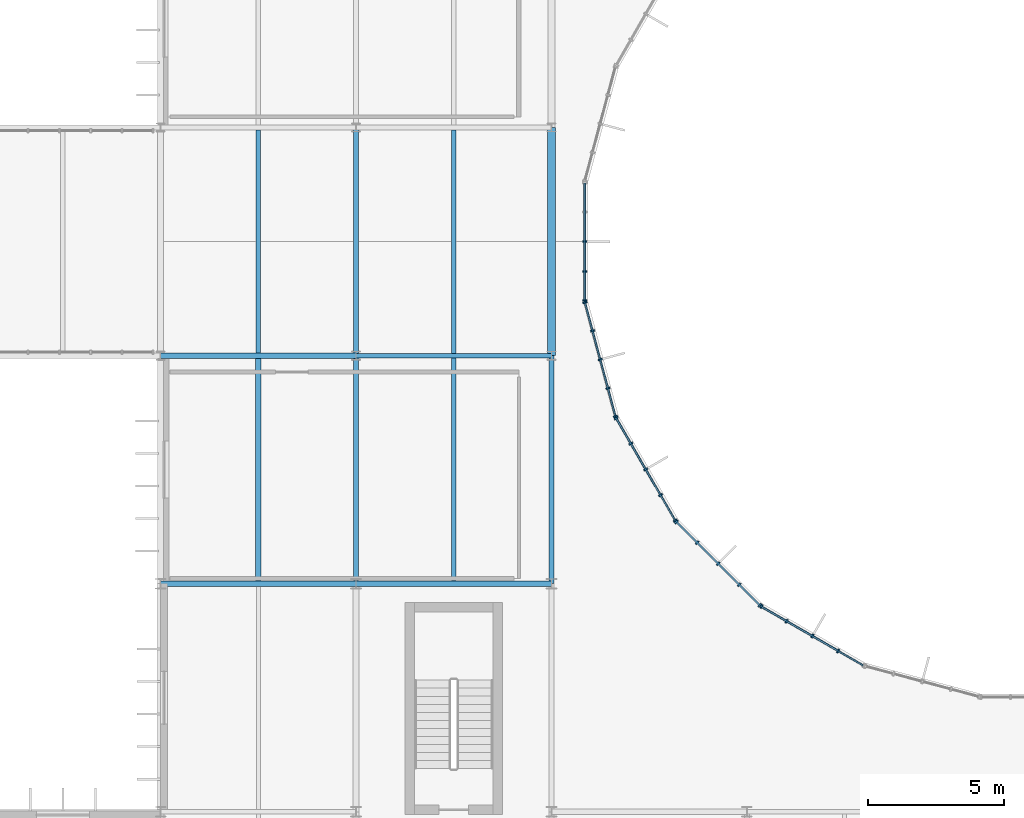
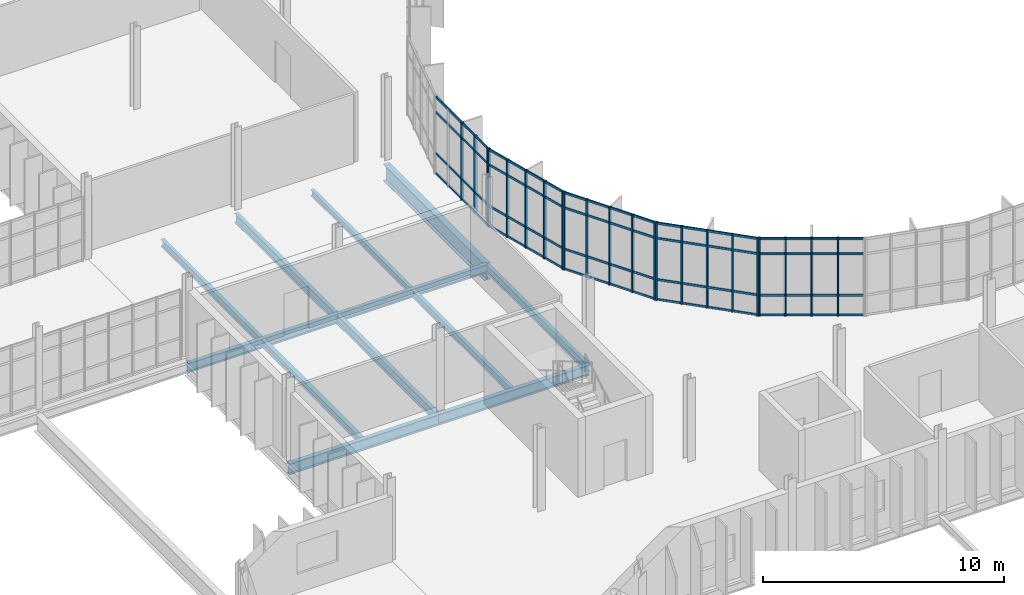
# One storey, part 42 of 119: 42 members, 12 beams, 5 elements without a shape of their own.
"""IFC4 building model written with IfcOpenShell, lengths in metres."""

import ifcopenshell
import ifcopenshell.guid

model = None  # the IFC model being written
_history = None  # IfcOwnerHistory: only IFC2X3 demands one
_inside = {}  # id of a spatial element -> (the spatial element, [elements in it])
_under = {}  # id of a project, library or spatial element -> (it, [spatial elements below it])
_declared = {}  # id of a project -> (the project, [libraries it declares])
_typed = {}  # id of a type object -> (the type object, [elements of that type])
_made_of = {}  # id of a material, layer set ... -> (it, [elements and type objects made of it])


def new_model(schema):
    """Start an empty IFC model of exactly this schema.

    Asked for "IFC4X3", IfcOpenShell would pick the latest addendum, in which some entities
    have other attributes; the version numbers below select the first issue.
    IFC2X3 requires an IfcOwnerHistory on every rooted entity: one is made here for all.
    """
    global model, _history
    if schema == "IFC4X3":
        model = ifcopenshell.file(schema_version=(4, 3, 0, 0))
    else:
        model = ifcopenshell.file(schema=schema)
    _inside.clear()
    _under.clear()
    _declared.clear()
    _typed.clear()
    _made_of.clear()
    _history = None
    if model.schema == "IFC2X3":
        org = make("IfcOrganization", Name="unknown")
        user = make(
            "IfcPersonAndOrganization",
            ThePerson=make("IfcPerson", FamilyName="unknown"),
            TheOrganization=org,
        )
        app = make(
            "IfcApplication",
            ApplicationDeveloper=org,
            Version="unknown",
            ApplicationFullName="unknown",
            ApplicationIdentifier="unknown",
        )
        _history = make(
            "IfcOwnerHistory",
            OwningUser=user,
            OwningApplication=app,
            ChangeAction="ADDED",
            CreationDate=0,
        )
    return model


def make(cls, **values):
    """One entity of the class cls with the attributes given. An attribute that is None is left unset."""
    return model.create_entity(
        cls, **{name: value for name, value in values.items() if value is not None}
    )


def rooted(cls, **values):
    """An entity with a GlobalId (a new one), such as an element, a storey or a relation."""
    return make(cls, GlobalId=ifcopenshell.guid.new(), OwnerHistory=_history, **values)


def si_unit(unit_type, name, prefix=None):
    """IfcSIUnit, for example si_unit("LENGTHUNIT", "METRE", prefix="MILLI")."""
    return make("IfcSIUnit", UnitType=unit_type, Prefix=prefix, Name=name)


def assignment(units):
    """IfcUnitAssignment: the units of a project."""
    return None if units is None else make("IfcUnitAssignment", Units=units)


def point(xyz):
    """IfcCartesianPoint."""
    return None if xyz is None else make("IfcCartesianPoint", Coordinates=xyz)


def direction(xyz):
    """IfcDirection."""
    return None if xyz is None else make("IfcDirection", DirectionRatios=xyz)


def frame(location, z_axis=None, x_axis=None):
    """IfcAxis2Placement3D, a coordinate frame: its origin and axes. An axis left out is left unset."""
    return make(
        "IfcAxis2Placement3D",
        Location=point(location),
        Axis=direction(z_axis),
        RefDirection=direction(x_axis),
    )


def frame_2d(location, x_axis=None):
    """IfcAxis2Placement2D, a coordinate frame in the plane: its origin and x axis."""
    return make(
        "IfcAxis2Placement2D", Location=point(location), RefDirection=direction(x_axis)
    )


def origin():
    """The frame at (0, 0, 0) with its axes left unset."""
    return frame((0.0, 0.0, 0.0))


def origin_2d():
    """The frame at (0, 0) in the plane with its x axis left unset."""
    return frame_2d((0.0, 0.0))


def place(relative_to, where):
    """IfcLocalPlacement: puts the frame where relative to a parent placement (None: the world)."""
    return make(
        "IfcLocalPlacement", PlacementRelTo=relative_to, RelativePlacement=where
    )


def context(
    kind, dimensions, precision=None, world=None, true_north=None, identifier=None
):
    """IfcGeometricRepresentationContext, for example the 3D "Model" context."""
    return make(
        "IfcGeometricRepresentationContext",
        ContextIdentifier=identifier,
        ContextType=kind,
        CoordinateSpaceDimension=dimensions,
        Precision=precision,
        WorldCoordinateSystem=world,
        TrueNorth=true_north,
    )


def subcontext(parent, identifier, kind, view, scale=None):
    """IfcGeometricRepresentationSubContext, for example "Body" below "Model"."""
    return make(
        "IfcGeometricRepresentationSubContext",
        ContextIdentifier=identifier,
        ContextType=kind,
        ParentContext=parent,
        TargetScale=scale,
        TargetView=view,
    )


def project(units=None, contexts=None):
    """IfcProject with its units and contexts."""
    return rooted(
        "IfcProject",
        Name="project",
        RepresentationContexts=contexts,
        UnitsInContext=assignment(units),
    )


def spatial(cls, under=None, at=None, **own):
    """A site, building, storey or space (cls), placed at a placement, below another one or the project."""
    s = rooted(cls, ObjectPlacement=at, **own)
    if under is not None:
        _under.setdefault(under.id(), (under, []))[1].append(s)
    return s


def profile(cls, at=None, kind="AREA", **sizes):
    """A parametric profile (cls). Its sizes go by their IFC names, for example OverallWidth=200.0."""
    return make(cls, ProfileType=kind, Position=at, **sizes)


def rectangle(**sizes):
    """IfcRectangleProfileDef."""
    return profile("IfcRectangleProfileDef", **sizes)


def i_section(**sizes):
    """IfcIShapeProfileDef."""
    return profile("IfcIShapeProfileDef", **sizes)


def extrude(swept, where, along, depth):
    """IfcExtrudedAreaSolid: the profile swept, set in the frame where, extruded along a direction by depth."""
    return make(
        "IfcExtrudedAreaSolid",
        SweptArea=swept,
        Position=where,
        ExtrudedDirection=direction(along),
        Depth=depth,
    )


def shape(context_of_items, identifier, shape_type, items):
    """IfcShapeRepresentation: the items that make up one representation, for example the "Body"."""
    return make(
        "IfcShapeRepresentation",
        ContextOfItems=context_of_items,
        RepresentationIdentifier=identifier,
        RepresentationType=shape_type,
        Items=items,
    )


def material(Name=None, Category=None):
    """IfcMaterial."""
    return make("IfcMaterial", Name=Name, Category=Category)


def material_profile(
    of_material, cross_section, Name=None, Category=None, Priority=None
):
    """IfcMaterialProfile: a cross section and its material."""
    return make(
        "IfcMaterialProfile",
        Name=Name,
        Material=of_material,
        Profile=cross_section,
        Priority=Priority,
        Category=Category,
    )


def profile_set(profiles, Name=None, composite=None):
    """IfcMaterialProfileSet."""
    return make(
        "IfcMaterialProfileSet",
        Name=Name,
        MaterialProfiles=profiles,
        CompositeProfile=composite,
    )


def made_of(thing, what):
    """Note that an element or type object is made of a material, layer set ...; save() writes the relation."""
    if what is not None:
        _made_of.setdefault(what.id(), (what, []))[1].append(thing)
    return thing


def type_object(cls, material=None, **own):
    """A type object (cls), such as IfcWallType, which elements share."""
    return made_of(rooted(cls, **own), material)


def element(
    cls,
    number,
    at=None,
    inside=None,
    cuts=None,
    type_object=None,
    material=None,
    context=None,
    identifier="Body",
    shape_type=None,
    held_by="IfcProductDefinitionShape",
    body=None,
    shapes=None,
    **own,
):
    """One element of the class cls, such as IfcWall. Its Tag is "e" and its number.

    at: its placement. inside: the storey or other place that contains it. cuts: it is an
    opening in that element (IfcRelVoidsElement). A single representation is given by context,
    identifier, shape_type and body (its items); several are given by shapes. held_by: the class
    of the entity that holds the representations. save() writes the other relations.
    """
    e = rooted(cls, Tag="e%d" % number, ObjectPlacement=at, **own)
    if body is not None:
        shapes = [shape(context, identifier, shape_type, body)]
    if shapes is not None:
        e.Representation = make(held_by, Representations=shapes)
    if inside is not None:
        _inside.setdefault(inside.id(), (inside, []))[1].append(e)
    if cuts is not None:
        rooted(
            "IfcRelVoidsElement", RelatingBuildingElement=cuts, RelatedOpeningElement=e
        )
    if type_object is not None:
        _typed.setdefault(type_object.id(), (type_object, []))[1].append(e)
    return made_of(e, material)


def aggregate(whole, parts):
    """IfcRelAggregates: a whole, such as a stair, and the parts it consists of."""
    return rooted("IfcRelAggregates", RelatingObject=whole, RelatedObjects=parts)


def save(model, path):
    """Write the relations noted so far, then the file.

    IfcRelAggregates (storeys below a building ...), IfcRelContainedInSpatialStructure (elements
    in a storey), IfcRelDefinesByType, IfcRelAssociatesMaterial and IfcRelDeclares: one each for
    every whole, place, type object, material and project.
    """
    for whole, parts in _under.values():
        aggregate(whole, parts)
    for where, things in _inside.values():
        rooted(
            "IfcRelContainedInSpatialStructure",
            RelatedElements=things,
            RelatingStructure=where,
        )
    for kind, things in _typed.values():
        rooted("IfcRelDefinesByType", RelatedObjects=things, RelatingType=kind)
    for what, things in _made_of.values():
        rooted("IfcRelAssociatesMaterial", RelatedObjects=things, RelatingMaterial=what)
    for by, libraries in _declared.values():
        rooted("IfcRelDeclares", RelatingContext=by, RelatedDefinitions=libraries)
    model.write(path)


model = new_model("IFC4")

# Units and contexts
model_context = context("Model", 3, precision=1e-05, world=origin(), true_north=direction((0.0, 1.0)))
body_context = subcontext(model_context, "Body", "Model", "MODEL_VIEW")
ifc_project = project(units=[si_unit("LENGTHUNIT", "METRE"), si_unit("AREAUNIT", "SQUARE_METRE"), si_unit("VOLUMEUNIT", "CUBIC_METRE"), si_unit("PLANEANGLEUNIT", "RADIAN"), si_unit("MASSUNIT", "GRAM", prefix="KILO")], contexts=[model_context])

# Site, building, storey
site_placement = place(None, origin())
site = spatial("IfcSite", under=ifc_project, at=site_placement, CompositionType="ELEMENT")
building_placement = place(site_placement, origin())
building = spatial("IfcBuilding", under=site, at=building_placement, Name="Qelthora Terrace Specialist Clinic", CompositionType="ELEMENT")
storey_placement = place(building_placement, frame((0.0, 0.0, 4.800048828125)))
storey = spatial("IfcBuildingStorey", under=building, at=storey_placement, Name="L01", CompositionType="ELEMENT", Elevation=4.800048828125)

# Beams
ifc_material_1 = material(Name="Steel S355", Category="steel")
ifc_material_profile_1 = material_profile(ifc_material_1, i_section(OverallWidth=0.178955078125, OverallDepth=0.409912109375, WebThickness=0.0087890625, FlangeThickness=0.014404296875, FilletRadius=0.011962890625, at=origin_2d()), Name="W410X67")
ifc_profile_set_1 = profile_set([ifc_material_profile_1], Name="Steel S355")
beam_type_1 = type_object("IfcBeamType", Name="BM-W410X67", PredefinedType="BEAM", material=ifc_profile_set_1)
beam_1_placement = place(storey_placement, frame((108.0, 50.39990234375, -0.455078125), z_axis=(0.0, 1.0, 0.0), x_axis=(-1.0, 0.0, 0.0)))
element("IfcBeam", 1, at=beam_1_placement, inside=storey, type_object=beam_type_1, Name="Girder BMY-L01-0480", PredefinedType="BEAM", context=body_context, shape_type="SweptSolid", body=[
    extrude(i_section(OverallWidth=0.178955078125, OverallDepth=0.409912109375, WebThickness=0.0087890625, FlangeThickness=0.014404296875, FilletRadius=0.011962890625, at=origin_2d()), origin(), (0.0, 0.0, 1.0), 8.400146484375),
])
ifc_material_profile_2 = material_profile(ifc_material_1, i_section(OverallWidth=0.179931640625, OverallDepth=0.4130859375, WebThickness=0.009765625, FlangeThickness=0.01611328125, FilletRadius=0.011962890625, at=origin_2d()), Name="W410X75")
ifc_profile_set_2 = profile_set([ifc_material_profile_2], Name="Steel S355")
beam_type_2 = type_object("IfcBeamType", Name="BM-W410X75", PredefinedType="BEAM", material=ifc_profile_set_2)
beam_2_placement = place(storey_placement, frame((100.800048828125, 58.800048828125, -0.45654296875), z_axis=(1.0, 0.0, 0.0), x_axis=(0.0, 1.0, 0.0)))
element("IfcBeam", 2, at=beam_2_placement, inside=storey, type_object=beam_type_2, Name="Girder BMX-L01-0247", PredefinedType="BEAM", context=body_context, shape_type="SweptSolid", body=[
    extrude(i_section(OverallWidth=0.179931640625, OverallDepth=0.4130859375, WebThickness=0.009765625, FlangeThickness=0.01611328125, FilletRadius=0.011962890625, at=origin_2d()), origin(), (0.0, 0.0, 1.0), 7.199951171875),
])
ifc_material_profile_3 = material_profile(ifc_material_1, i_section(OverallWidth=0.19091796875, OverallDepth=0.4599609375, WebThickness=0.010009765625, FlangeThickness=0.01611328125, FilletRadius=0.012939453125, at=origin_2d()), Name="W460X82")
ifc_profile_set_3 = profile_set([ifc_material_profile_3], Name="Steel S355")
beam_type_3 = type_object("IfcBeamType", Name="BM-W460X82", PredefinedType="BEAM", material=ifc_profile_set_3)
beam_3_placement = place(storey_placement, frame((93.60009765625, 58.800048828125, -0.47998046875), z_axis=(1.0, 0.0, 0.0), x_axis=(0.0, 1.0, 0.0)))
element("IfcBeam", 3, at=beam_3_placement, inside=storey, type_object=beam_type_3, Name="Girder BMX-L01-0246", PredefinedType="BEAM", context=body_context, shape_type="SweptSolid", body=[
    extrude(i_section(OverallWidth=0.19091796875, OverallDepth=0.4599609375, WebThickness=0.010009765625, FlangeThickness=0.01611328125, FilletRadius=0.012939453125, at=origin_2d()), origin(), (0.0, 0.0, 1.0), 7.199951171875),
])
beam_4_placement = place(storey_placement, frame((100.800048828125, 58.800048828125, -0.47998046875), z_axis=(0.0, 1.0, 0.0), x_axis=(-1.0, 0.0, 0.0)))
element("IfcBeam", 4, at=beam_4_placement, inside=storey, type_object=beam_type_3, Name="Girder BMY-L01-0468", PredefinedType="BEAM", context=body_context, shape_type="SweptSolid", body=[
    extrude(i_section(OverallWidth=0.19091796875, OverallDepth=0.4599609375, WebThickness=0.010009765625, FlangeThickness=0.01611328125, FilletRadius=0.012939453125, at=origin_2d()), origin(), (0.0, 0.0, 1.0), 8.39990234375),
])
ifc_material_profile_4 = material_profile(ifc_material_1, i_section(OverallWidth=0.193115234375, OverallDepth=0.466064453125, WebThickness=0.011474609375, FlangeThickness=0.01904296875, FilletRadius=0.012939453125, at=origin_2d()), Name="W460X97")
ifc_profile_set_4 = profile_set([ifc_material_profile_4], Name="Steel S355")
beam_type_4 = type_object("IfcBeamType", Name="BM-W460X97", PredefinedType="BEAM", material=ifc_profile_set_4)
beam_5_placement = place(storey_placement, frame((100.800048828125, 50.39990234375, -0.483154296875), z_axis=(0.0, 1.0, 0.0), x_axis=(-1.0, 0.0, 0.0)))
element("IfcBeam", 5, at=beam_5_placement, inside=storey, type_object=beam_type_4, Name="Girder BMY-L01-0467", PredefinedType="BEAM", context=body_context, shape_type="SweptSolid", body=[
    extrude(i_section(OverallWidth=0.193115234375, OverallDepth=0.466064453125, WebThickness=0.011474609375, FlangeThickness=0.01904296875, FilletRadius=0.012939453125, at=origin_2d()), origin(), (0.0, 0.0, 1.0), 8.400146484375),
])
ifc_material_profile_5 = material_profile(ifc_material_1, i_section(OverallWidth=0.2099609375, OverallDepth=0.537109375, WebThickness=0.010986328125, FlangeThickness=0.017333984375, FilletRadius=0.013916015625, at=origin_2d()), Name="W530X101")
ifc_profile_set_5 = profile_set([ifc_material_profile_5], Name="Steel S355")
beam_type_5 = type_object("IfcBeamType", Name="BM-W530X101", PredefinedType="BEAM", material=ifc_profile_set_5)
beam_6_placement = place(storey_placement, frame((100.800048828125, 50.39990234375, -0.5185546875), z_axis=(1.0, 0.0, 0.0), x_axis=(0.0, 1.0, 0.0)))
element("IfcBeam", 6, at=beam_6_placement, inside=storey, type_object=beam_type_5, Name="Girder BMX-L01-0230", PredefinedType="BEAM", context=body_context, shape_type="SweptSolid", body=[
    extrude(i_section(OverallWidth=0.2099609375, OverallDepth=0.537109375, WebThickness=0.010986328125, FlangeThickness=0.017333984375, FilletRadius=0.013916015625, at=origin_2d()), origin(), (0.0, 0.0, 1.0), 7.199951171875),
])
ifc_material_profile_6 = material_profile(ifc_material_1, i_section(OverallWidth=0.2119140625, OverallDepth=0.5439453125, WebThickness=0.01318359375, FlangeThickness=0.021240234375, FilletRadius=0.013916015625, at=origin_2d()), Name="W530X123")
ifc_profile_set_6 = profile_set([ifc_material_profile_6], Name="Steel S355")
beam_type_6 = type_object("IfcBeamType", Name="BM-W530X123", PredefinedType="BEAM", material=ifc_profile_set_6)
beam_7_placement = place(storey_placement, frame((93.60009765625, 50.39990234375, -0.52197265625), z_axis=(1.0, 0.0, 0.0), x_axis=(0.0, 1.0, 0.0)))
element("IfcBeam", 7, at=beam_7_placement, inside=storey, type_object=beam_type_6, Name="Girder BMX-L01-0229", PredefinedType="BEAM", context=body_context, shape_type="SweptSolid", body=[
    extrude(i_section(OverallWidth=0.2119140625, OverallDepth=0.5439453125, WebThickness=0.01318359375, FlangeThickness=0.021240234375, FilletRadius=0.013916015625, at=origin_2d()), origin(), (0.0, 0.0, 1.0), 7.199951171875),
])
ifc_material_profile_7 = material_profile(ifc_material_1, i_section(OverallWidth=0.2939453125, OverallDepth=0.85107421875, WebThickness=0.01611328125, FlangeThickness=0.02685546875, FilletRadius=0.02001953125, at=origin_2d()), Name="W840X226")
ifc_profile_set_7 = profile_set([ifc_material_profile_7], Name="Steel S355")
beam_type_7 = type_object("IfcBeamType", Name="BM-W840X226", PredefinedType="BEAM", material=ifc_profile_set_7)
beam_8_placement = place(storey_placement, frame((108.0, 58.800048828125, -0.675537109375), z_axis=(0.0, 1.0, 0.0), x_axis=(-1.0, 0.0, 0.0)))
element("IfcBeam", 8, at=beam_8_placement, inside=storey, type_object=beam_type_7, Name="Girder BMY-L01-0481", PredefinedType="BEAM", context=body_context, shape_type="SweptSolid", body=[
    extrude(i_section(OverallWidth=0.2939453125, OverallDepth=0.85107421875, WebThickness=0.01611328125, FlangeThickness=0.02685546875, FilletRadius=0.02001953125, at=origin_2d()), origin(), (0.0, 0.0, 1.0), 8.39990234375),
])

# Curtain wall, members
ifc_material_2 = material(Name="Aluminium anodized bronze", Category="aluminium")
curtain_wall_type = type_object("IfcCurtainWallType", Name="CW-CRTE-UPP", PredefinedType="NOTDEFINED", material=ifc_material_2)
curtain_wall_1_placement = place(storey_placement, origin())
curtain_wall_1 = element("IfcCurtainWall", 9, at=curtain_wall_1_placement, inside=storey, type_object=curtain_wall_type, Name="Curtain wall CW-CE-L01-12", PredefinedType="NOTDEFINED")
ifc_material_profile_8 = material_profile(ifc_material_2, rectangle(XDim=0.06005859375, YDim=0.14990234375, at=origin_2d()), Name="CWM60X150")
ifc_profile_set_8 = profile_set([ifc_material_profile_8], Name="Aluminium anodized bronze")
member_type_1 = type_object("IfcMemberType", Name="CWM-60X150", PredefinedType="MULLION", material=ifc_profile_set_8)
member_1_placement = place(storey_placement, frame((109.2236328125, 63.0, 0.0), z_axis=(0.0, 0.0, 1.0), x_axis=(0.0, -1.0, 0.0)))
member_1 = element("IfcMember", 10, at=member_1_placement, type_object=member_type_1, Name="CW-CE-L01-12 mullion 3", PredefinedType="MULLION", context=body_context, shape_type="SweptSolid", body=[
    extrude(rectangle(XDim=0.06005859375, YDim=0.14990234375, at=origin_2d()), origin(), (0.0, 0.0, 1.0), 3.945068359375),
])
member_2_placement = place(storey_placement, frame((109.2236328125, 61.903564453125, 0.0), z_axis=(0.0, 0.0, 1.0), x_axis=(0.0, -1.0, 0.0)))
member_2 = element("IfcMember", 11, at=member_2_placement, type_object=member_type_1, Name="CW-CE-L01-12 mullion 4", PredefinedType="MULLION", context=body_context, shape_type="SweptSolid", body=[
    extrude(rectangle(XDim=0.06005859375, YDim=0.14990234375, at=origin_2d()), origin(), (0.0, 0.0, 1.0), 3.945068359375),
])
member_3_placement = place(storey_placement, frame((109.2236328125, 60.8271484375, 0.0), z_axis=(0.0, 0.0, 1.0), x_axis=(0.0, -1.0, 0.0)))
member_3 = element("IfcMember", 12, at=member_3_placement, type_object=member_type_1, Name="CW-CE-L01-12 mullion 5", PredefinedType="MULLION", context=body_context, shape_type="SweptSolid", body=[
    extrude(rectangle(XDim=0.06005859375, YDim=0.14990234375, at=origin_2d()), origin(), (0.0, 0.0, 1.0), 3.945068359375),
])

curtain_wall_2_placement = place(storey_placement, origin())
curtain_wall_2 = element("IfcCurtainWall", 13, at=curtain_wall_2_placement, inside=storey, type_object=curtain_wall_type, Name="Curtain wall CW-CE-L01-13", PredefinedType="NOTDEFINED")
member_4_placement = place(storey_placement, frame((109.23291015625, 60.7568359375, 0.0), z_axis=(0.0, 0.0, 1.0), x_axis=(0.258819664824, -0.965925660235, 0.0)))
member_4 = element("IfcMember", 14, at=member_4_placement, type_object=member_type_1, Name="CW-CE-L01-13 mullion 1", PredefinedType="MULLION", context=body_context, shape_type="SweptSolid", body=[
    extrude(rectangle(XDim=0.06005859375, YDim=0.14990234375, at=origin_2d()), origin(), (0.0, 0.0, 1.0), 3.945068359375),
])
member_5_placement = place(storey_placement, frame((109.511474609375, 59.717041015625, 0.0), z_axis=(0.0, 0.0, 1.0), x_axis=(0.258819664824, -0.965925660235, 0.0)))
member_5 = element("IfcMember", 15, at=member_5_placement, type_object=member_type_1, Name="CW-CE-L01-13 mullion 2", PredefinedType="MULLION", context=body_context, shape_type="SweptSolid", body=[
    extrude(rectangle(XDim=0.06005859375, YDim=0.14990234375, at=origin_2d()), origin(), (0.0, 0.0, 1.0), 3.945068359375),
])
member_6_placement = place(storey_placement, frame((109.79541015625, 58.657958984375, 0.0), z_axis=(0.0, 0.0, 1.0), x_axis=(0.258819664824, -0.965925660235, 0.0)))
member_6 = element("IfcMember", 16, at=member_6_placement, type_object=member_type_1, Name="CW-CE-L01-13 mullion 3", PredefinedType="MULLION", context=body_context, shape_type="SweptSolid", body=[
    extrude(rectangle(XDim=0.06005859375, YDim=0.14990234375, at=origin_2d()), origin(), (0.0, 0.0, 1.0), 3.945068359375),
])
member_7_placement = place(storey_placement, frame((110.0791015625, 57.598876953125, 0.0), z_axis=(0.0, 0.0, 1.0), x_axis=(0.258819664824, -0.965925660235, 0.0)))
member_7 = element("IfcMember", 17, at=member_7_placement, type_object=member_type_1, Name="CW-CE-L01-13 mullion 4", PredefinedType="MULLION", context=body_context, shape_type="SweptSolid", body=[
    extrude(rectangle(XDim=0.06005859375, YDim=0.14990234375, at=origin_2d()), origin(), (0.0, 0.0, 1.0), 3.945068359375),
])
member_8_placement = place(storey_placement, frame((110.357666015625, 56.55908203125, 0.0), z_axis=(0.0, 0.0, 1.0), x_axis=(0.258819664824, -0.965925660235, 0.0)))
member_8 = element("IfcMember", 18, at=member_8_placement, type_object=member_type_1, Name="CW-CE-L01-13 mullion 5", PredefinedType="MULLION", context=body_context, shape_type="SweptSolid", body=[
    extrude(rectangle(XDim=0.06005859375, YDim=0.14990234375, at=origin_2d()), origin(), (0.0, 0.0, 1.0), 3.945068359375),
])

curtain_wall_3_placement = place(storey_placement, origin())
curtain_wall_3 = element("IfcCurtainWall", 19, at=curtain_wall_3_placement, inside=storey, type_object=curtain_wall_type, Name="Curtain wall CW-CE-L01-14", PredefinedType="NOTDEFINED")
member_9_placement = place(storey_placement, frame((110.385009765625, 56.49365234375, 0.0), z_axis=(0.0, 0.0, 1.0), x_axis=(0.500000028915, -0.86602538709, 0.0)))
member_9 = element("IfcMember", 20, at=member_9_placement, type_object=member_type_1, Name="CW-CE-L01-14 mullion 1", PredefinedType="MULLION", context=body_context, shape_type="SweptSolid", body=[
    extrude(rectangle(XDim=0.06005859375, YDim=0.14990234375, at=origin_2d()), origin(), (0.0, 0.0, 1.0), 3.945068359375),
])
member_10_placement = place(storey_placement, frame((110.923095703125, 55.561279296875, 0.0), z_axis=(0.0, 0.0, 1.0), x_axis=(0.500000028915, -0.86602538709, 0.0)))
member_10 = element("IfcMember", 21, at=member_10_placement, type_object=member_type_1, Name="CW-CE-L01-14 mullion 2", PredefinedType="MULLION", context=body_context, shape_type="SweptSolid", body=[
    extrude(rectangle(XDim=0.06005859375, YDim=0.14990234375, at=origin_2d()), origin(), (0.0, 0.0, 1.0), 3.945068359375),
])
member_11_placement = place(storey_placement, frame((111.471435546875, 54.61181640625, 0.0), z_axis=(0.0, 0.0, 1.0), x_axis=(0.500000028915, -0.86602538709, 0.0)))
member_11 = element("IfcMember", 22, at=member_11_placement, type_object=member_type_1, Name="CW-CE-L01-14 mullion 3", PredefinedType="MULLION", context=body_context, shape_type="SweptSolid", body=[
    extrude(rectangle(XDim=0.06005859375, YDim=0.14990234375, at=origin_2d()), origin(), (0.0, 0.0, 1.0), 3.945068359375),
])
member_12_placement = place(storey_placement, frame((112.01953125, 53.662353515625, 0.0), z_axis=(0.0, 0.0, 1.0), x_axis=(0.500000028915, -0.86602538709, 0.0)))
member_12 = element("IfcMember", 23, at=member_12_placement, type_object=member_type_1, Name="CW-CE-L01-14 mullion 4", PredefinedType="MULLION", context=body_context, shape_type="SweptSolid", body=[
    extrude(rectangle(XDim=0.06005859375, YDim=0.14990234375, at=origin_2d()), origin(), (0.0, 0.0, 1.0), 3.945068359375),
])
member_13_placement = place(storey_placement, frame((112.557861328125, 52.730224609375, 0.0), z_axis=(0.0, 0.0, 1.0), x_axis=(0.500000028915, -0.86602538709, 0.0)))
member_13 = element("IfcMember", 24, at=member_13_placement, type_object=member_type_1, Name="CW-CE-L01-14 mullion 5", PredefinedType="MULLION", context=body_context, shape_type="SweptSolid", body=[
    extrude(rectangle(XDim=0.06005859375, YDim=0.14990234375, at=origin_2d()), origin(), (0.0, 0.0, 1.0), 3.945068359375),
])

curtain_wall_4_placement = place(storey_placement, origin())
curtain_wall_4 = element("IfcCurtainWall", 25, at=curtain_wall_4_placement, inside=storey, type_object=curtain_wall_type, Name="Curtain wall CW-CE-L01-15", PredefinedType="NOTDEFINED")
member_14_placement = place(storey_placement, frame((112.600830078125, 52.673828125, 0.0), z_axis=(0.0, 0.0, 1.0), x_axis=(0.707106781187, -0.707106781187, 0.0)))
member_14 = element("IfcMember", 26, at=member_14_placement, type_object=member_type_1, Name="CW-CE-L01-15 mullion 1", PredefinedType="MULLION", context=body_context, shape_type="SweptSolid", body=[
    extrude(rectangle(XDim=0.06005859375, YDim=0.14990234375, at=origin_2d()), origin(), (0.0, 0.0, 1.0), 3.945068359375),
])
member_15_placement = place(storey_placement, frame((113.362060546875, 51.91259765625, 0.0), z_axis=(0.0, 0.0, 1.0), x_axis=(0.707106781187, -0.707106781187, 0.0)))
member_15 = element("IfcMember", 27, at=member_15_placement, type_object=member_type_1, Name="CW-CE-L01-15 mullion 2", PredefinedType="MULLION", context=body_context, shape_type="SweptSolid", body=[
    extrude(rectangle(XDim=0.06005859375, YDim=0.14990234375, at=origin_2d()), origin(), (0.0, 0.0, 1.0), 3.945068359375),
])
member_16_placement = place(storey_placement, frame((114.137451171875, 51.137451171875, 0.0), z_axis=(0.0, 0.0, 1.0), x_axis=(0.707106781187, -0.707106781187, 0.0)))
member_16 = element("IfcMember", 28, at=member_16_placement, type_object=member_type_1, Name="CW-CE-L01-15 mullion 3", PredefinedType="MULLION", context=body_context, shape_type="SweptSolid", body=[
    extrude(rectangle(XDim=0.06005859375, YDim=0.14990234375, at=origin_2d()), origin(), (0.0, 0.0, 1.0), 3.945068359375),
])
member_17_placement = place(storey_placement, frame((114.91259765625, 50.362060546875, 0.0), z_axis=(0.0, 0.0, 1.0), x_axis=(0.707106781187, -0.707106781187, 0.0)))
member_17 = element("IfcMember", 29, at=member_17_placement, type_object=member_type_1, Name="CW-CE-L01-15 mullion 4", PredefinedType="MULLION", context=body_context, shape_type="SweptSolid", body=[
    extrude(rectangle(XDim=0.06005859375, YDim=0.14990234375, at=origin_2d()), origin(), (0.0, 0.0, 1.0), 3.945068359375),
])
member_18_placement = place(storey_placement, frame((115.673828125, 49.600830078125, 0.0), z_axis=(0.0, 0.0, 1.0), x_axis=(0.707106781187, -0.707106781187, 0.0)))
member_18 = element("IfcMember", 30, at=member_18_placement, type_object=member_type_1, Name="CW-CE-L01-15 mullion 5", PredefinedType="MULLION", context=body_context, shape_type="SweptSolid", body=[
    extrude(rectangle(XDim=0.06005859375, YDim=0.14990234375, at=origin_2d()), origin(), (0.0, 0.0, 1.0), 3.945068359375),
])

curtain_wall_5_placement = place(storey_placement, origin())
curtain_wall_5 = element("IfcCurtainWall", 31, at=curtain_wall_5_placement, inside=storey, type_object=curtain_wall_type, Name="Curtain wall CW-CE-L01-16", PredefinedType="NOTDEFINED")
member_19_placement = place(storey_placement, frame((115.730224609375, 49.557861328125, 0.0), z_axis=(0.0, 0.0, 1.0), x_axis=(0.86602538709, -0.500000028915, 0.0)))
member_19 = element("IfcMember", 32, at=member_19_placement, type_object=member_type_1, Name="CW-CE-L01-16 mullion 1", PredefinedType="MULLION", context=body_context, shape_type="SweptSolid", body=[
    extrude(rectangle(XDim=0.06005859375, YDim=0.14990234375, at=origin_2d()), origin(), (0.0, 0.0, 1.0), 3.945068359375),
])
member_20_placement = place(storey_placement, frame((116.662353515625, 49.01953125, 0.0), z_axis=(0.0, 0.0, 1.0), x_axis=(0.86602538709, -0.500000028915, 0.0)))
member_20 = element("IfcMember", 33, at=member_20_placement, type_object=member_type_1, Name="CW-CE-L01-16 mullion 2", PredefinedType="MULLION", context=body_context, shape_type="SweptSolid", body=[
    extrude(rectangle(XDim=0.06005859375, YDim=0.14990234375, at=origin_2d()), origin(), (0.0, 0.0, 1.0), 3.945068359375),
])
member_21_placement = place(storey_placement, frame((117.61181640625, 48.471435546875, 0.0), z_axis=(0.0, 0.0, 1.0), x_axis=(0.86602538709, -0.500000028915, 0.0)))
member_21 = element("IfcMember", 34, at=member_21_placement, type_object=member_type_1, Name="CW-CE-L01-16 mullion 3", PredefinedType="MULLION", context=body_context, shape_type="SweptSolid", body=[
    extrude(rectangle(XDim=0.06005859375, YDim=0.14990234375, at=origin_2d()), origin(), (0.0, 0.0, 1.0), 3.945068359375),
])
member_22_placement = place(storey_placement, frame((118.561279296875, 47.923095703125, 0.0), z_axis=(0.0, 0.0, 1.0), x_axis=(0.86602538709, -0.500000028915, 0.0)))
member_22 = element("IfcMember", 35, at=member_22_placement, type_object=member_type_1, Name="CW-CE-L01-16 mullion 4", PredefinedType="MULLION", context=body_context, shape_type="SweptSolid", body=[
    extrude(rectangle(XDim=0.06005859375, YDim=0.14990234375, at=origin_2d()), origin(), (0.0, 0.0, 1.0), 3.945068359375),
])

# Member
ifc_material_profile_9 = material_profile(ifc_material_2, rectangle(XDim=0.06005859375, YDim=0.110107421875, at=origin_2d()), Name="CWT60X110")
ifc_profile_set_9 = profile_set([ifc_material_profile_9], Name="Aluminium anodized bronze")
member_type_2 = type_object("IfcMemberType", Name="CWT-60X110", PredefinedType="USERDEFINED", material=ifc_profile_set_9)
member_23_placement = place(storey_placement, frame((109.2236328125, 65.15283203125, 0.0400390625), z_axis=(0.0, -1.0, 0.0), x_axis=(1.0, 0.0, 0.0)))
member_23 = element("IfcMember", 36, at=member_23_placement, type_object=member_type_2, Name="CW-CE-L01-12 transom 1", ObjectType="TRANSOM", PredefinedType="USERDEFINED", context=body_context, shape_type="SweptSolid", body=[
    extrude(rectangle(XDim=0.06005859375, YDim=0.110107421875, at=origin_2d()), origin(), (0.0, 0.0, 1.0), 4.3056640625),
])

member_24_placement = place(storey_placement, frame((109.2236328125, 65.15283203125, 1.050048828125), z_axis=(0.0, -1.0, 0.0), x_axis=(1.0, 0.0, 0.0)))
member_24 = element("IfcMember", 37, at=member_24_placement, type_object=member_type_2, Name="CW-CE-L01-12 transom 2", ObjectType="TRANSOM", PredefinedType="USERDEFINED", context=body_context, shape_type="SweptSolid", body=[
    extrude(rectangle(XDim=0.06005859375, YDim=0.110107421875, at=origin_2d()), origin(), (0.0, 0.0, 1.0), 4.3056640625),
])

member_25_placement = place(storey_placement, frame((109.2236328125, 65.15283203125, 3.14501953125), z_axis=(0.0, -1.0, 0.0), x_axis=(1.0, 0.0, 0.0)))
member_25 = element("IfcMember", 38, at=member_25_placement, type_object=member_type_2, Name="CW-CE-L01-12 transom 3", ObjectType="TRANSOM", PredefinedType="USERDEFINED", context=body_context, shape_type="SweptSolid", body=[
    extrude(rectangle(XDim=0.06005859375, YDim=0.110107421875, at=origin_2d()), origin(), (0.0, 0.0, 1.0), 4.3056640625),
])

member_26_placement = place(storey_placement, frame((109.2236328125, 65.15283203125, 3.905029296875), z_axis=(0.0, -1.0, 0.0), x_axis=(1.0, 0.0, 0.0)))
member_26 = element("IfcMember", 39, at=member_26_placement, type_object=member_type_2, Name="CW-CE-L01-12 transom 4", ObjectType="TRANSOM", PredefinedType="USERDEFINED", context=body_context, shape_type="SweptSolid", body=[
    extrude(rectangle(XDim=0.06005859375, YDim=0.110107421875, at=origin_2d()), origin(), (0.0, 0.0, 1.0), 4.3056640625),
])

aggregate(curtain_wall_1, [member_1, member_2, member_3, member_23, member_24, member_25, member_26])

member_27_placement = place(storey_placement, frame((109.23828125, 60.737548828125, 0.0400390625), z_axis=(0.25879182601, -0.965933119212, 0.0), x_axis=(0.965933119212, 0.25879182601, 0.0)))
member_27 = element("IfcMember", 40, at=member_27_placement, type_object=member_type_2, Name="CW-CE-L01-13 transom 1", ObjectType="TRANSOM", PredefinedType="USERDEFINED", context=body_context, shape_type="SweptSolid", body=[
    extrude(rectangle(XDim=0.06005859375, YDim=0.110107421875, at=origin_2d()), origin(), (0.0, 0.0, 1.0), 4.3056640625),
])

member_28_placement = place(storey_placement, frame((109.23828125, 60.737548828125, 1.050048828125), z_axis=(0.25879182601, -0.965933119212, 0.0), x_axis=(0.965933119212, 0.25879182601, 0.0)))
member_28 = element("IfcMember", 41, at=member_28_placement, type_object=member_type_2, Name="CW-CE-L01-13 transom 2", ObjectType="TRANSOM", PredefinedType="USERDEFINED", context=body_context, shape_type="SweptSolid", body=[
    extrude(rectangle(XDim=0.06005859375, YDim=0.110107421875, at=origin_2d()), origin(), (0.0, 0.0, 1.0), 4.3056640625),
])

member_29_placement = place(storey_placement, frame((109.23828125, 60.737548828125, 3.14501953125), z_axis=(0.25879182601, -0.965933119212, 0.0), x_axis=(0.965933119212, 0.25879182601, 0.0)))
member_29 = element("IfcMember", 42, at=member_29_placement, type_object=member_type_2, Name="CW-CE-L01-13 transom 3", ObjectType="TRANSOM", PredefinedType="USERDEFINED", context=body_context, shape_type="SweptSolid", body=[
    extrude(rectangle(XDim=0.06005859375, YDim=0.110107421875, at=origin_2d()), origin(), (0.0, 0.0, 1.0), 4.3056640625),
])

member_30_placement = place(storey_placement, frame((109.23828125, 60.737548828125, 3.905029296875), z_axis=(0.25879182601, -0.965933119212, 0.0), x_axis=(0.965933119212, 0.25879182601, 0.0)))
member_30 = element("IfcMember", 43, at=member_30_placement, type_object=member_type_2, Name="CW-CE-L01-13 transom 4", ObjectType="TRANSOM", PredefinedType="USERDEFINED", context=body_context, shape_type="SweptSolid", body=[
    extrude(rectangle(XDim=0.06005859375, YDim=0.110107421875, at=origin_2d()), origin(), (0.0, 0.0, 1.0), 4.3056640625),
])

aggregate(curtain_wall_2, [member_4, member_5, member_6, member_7, member_8, member_27, member_28, member_29, member_30])

member_31_placement = place(storey_placement, frame((110.39501953125, 56.476318359375, 0.0400390625), z_axis=(0.500005500391, -0.866022228109, 0.0), x_axis=(0.866022228109, 0.500005500391, 0.0)))
member_31 = element("IfcMember", 44, at=member_31_placement, type_object=member_type_2, Name="CW-CE-L01-14 transom 1", ObjectType="TRANSOM", PredefinedType="USERDEFINED", context=body_context, shape_type="SweptSolid", body=[
    extrude(rectangle(XDim=0.06005859375, YDim=0.110107421875, at=origin_2d()), origin(), (0.0, 0.0, 1.0), 4.3056640625),
])

member_32_placement = place(storey_placement, frame((110.39501953125, 56.476318359375, 1.050048828125), z_axis=(0.500005500391, -0.866022228109, 0.0), x_axis=(0.866022228109, 0.500005500391, 0.0)))
member_32 = element("IfcMember", 45, at=member_32_placement, type_object=member_type_2, Name="CW-CE-L01-14 transom 2", ObjectType="TRANSOM", PredefinedType="USERDEFINED", context=body_context, shape_type="SweptSolid", body=[
    extrude(rectangle(XDim=0.06005859375, YDim=0.110107421875, at=origin_2d()), origin(), (0.0, 0.0, 1.0), 4.3056640625),
])

member_33_placement = place(storey_placement, frame((110.39501953125, 56.476318359375, 3.14501953125), z_axis=(0.500005500391, -0.866022228109, 0.0), x_axis=(0.866022228109, 0.500005500391, 0.0)))
member_33 = element("IfcMember", 46, at=member_33_placement, type_object=member_type_2, Name="CW-CE-L01-14 transom 3", ObjectType="TRANSOM", PredefinedType="USERDEFINED", context=body_context, shape_type="SweptSolid", body=[
    extrude(rectangle(XDim=0.06005859375, YDim=0.110107421875, at=origin_2d()), origin(), (0.0, 0.0, 1.0), 4.3056640625),
])

member_34_placement = place(storey_placement, frame((110.39501953125, 56.476318359375, 3.905029296875), z_axis=(0.500005500391, -0.866022228109, 0.0), x_axis=(0.866022228109, 0.500005500391, 0.0)))
member_34 = element("IfcMember", 47, at=member_34_placement, type_object=member_type_2, Name="CW-CE-L01-14 transom 4", ObjectType="TRANSOM", PredefinedType="USERDEFINED", context=body_context, shape_type="SweptSolid", body=[
    extrude(rectangle(XDim=0.06005859375, YDim=0.110107421875, at=origin_2d()), origin(), (0.0, 0.0, 1.0), 4.3056640625),
])

aggregate(curtain_wall_3, [member_9, member_10, member_11, member_12, member_13, member_31, member_32, member_33, member_34])

member_35_placement = place(storey_placement, frame((112.614990234375, 52.65966796875, 0.0400390625), z_axis=(0.707106781187, -0.707106781187, 0.0), x_axis=(0.707106781187, 0.707106781187, 0.0)))
member_35 = element("IfcMember", 48, at=member_35_placement, type_object=member_type_2, Name="CW-CE-L01-15 transom 1", ObjectType="TRANSOM", PredefinedType="USERDEFINED", context=body_context, shape_type="SweptSolid", body=[
    extrude(rectangle(XDim=0.06005859375, YDim=0.110107421875, at=origin_2d()), origin(), (0.0, 0.0, 1.0), 4.305908203125),
])

member_36_placement = place(storey_placement, frame((112.614990234375, 52.65966796875, 1.050048828125), z_axis=(0.707106781187, -0.707106781187, 0.0), x_axis=(0.707106781187, 0.707106781187, 0.0)))
member_36 = element("IfcMember", 49, at=member_36_placement, type_object=member_type_2, Name="CW-CE-L01-15 transom 2", ObjectType="TRANSOM", PredefinedType="USERDEFINED", context=body_context, shape_type="SweptSolid", body=[
    extrude(rectangle(XDim=0.06005859375, YDim=0.110107421875, at=origin_2d()), origin(), (0.0, 0.0, 1.0), 4.305908203125),
])

member_37_placement = place(storey_placement, frame((112.614990234375, 52.65966796875, 3.14501953125), z_axis=(0.707106781187, -0.707106781187, 0.0), x_axis=(0.707106781187, 0.707106781187, 0.0)))
member_37 = element("IfcMember", 50, at=member_37_placement, type_object=member_type_2, Name="CW-CE-L01-15 transom 3", ObjectType="TRANSOM", PredefinedType="USERDEFINED", context=body_context, shape_type="SweptSolid", body=[
    extrude(rectangle(XDim=0.06005859375, YDim=0.110107421875, at=origin_2d()), origin(), (0.0, 0.0, 1.0), 4.305908203125),
])

member_38_placement = place(storey_placement, frame((112.614990234375, 52.65966796875, 3.905029296875), z_axis=(0.707106781187, -0.707106781187, 0.0), x_axis=(0.707106781187, 0.707106781187, 0.0)))
member_38 = element("IfcMember", 51, at=member_38_placement, type_object=member_type_2, Name="CW-CE-L01-15 transom 4", ObjectType="TRANSOM", PredefinedType="USERDEFINED", context=body_context, shape_type="SweptSolid", body=[
    extrude(rectangle(XDim=0.06005859375, YDim=0.110107421875, at=origin_2d()), origin(), (0.0, 0.0, 1.0), 4.305908203125),
])

aggregate(curtain_wall_4, [member_14, member_15, member_16, member_17, member_18, member_35, member_36, member_37, member_38])

member_39_placement = place(storey_placement, frame((115.74755859375, 49.5478515625, 0.0400390625), z_axis=(0.866022228109, -0.500005500391, 0.0), x_axis=(0.500005500391, 0.866022228109, 0.0)))
member_39 = element("IfcMember", 52, at=member_39_placement, type_object=member_type_2, Name="CW-CE-L01-16 transom 1", ObjectType="TRANSOM", PredefinedType="USERDEFINED", context=body_context, shape_type="SweptSolid", body=[
    extrude(rectangle(XDim=0.06005859375, YDim=0.110107421875, at=origin_2d()), origin(), (0.0, 0.0, 1.0), 4.3056640625),
])

member_40_placement = place(storey_placement, frame((115.74755859375, 49.5478515625, 1.050048828125), z_axis=(0.866022228109, -0.500005500391, 0.0), x_axis=(0.500005500391, 0.866022228109, 0.0)))
member_40 = element("IfcMember", 53, at=member_40_placement, type_object=member_type_2, Name="CW-CE-L01-16 transom 2", ObjectType="TRANSOM", PredefinedType="USERDEFINED", context=body_context, shape_type="SweptSolid", body=[
    extrude(rectangle(XDim=0.06005859375, YDim=0.110107421875, at=origin_2d()), origin(), (0.0, 0.0, 1.0), 4.3056640625),
])

member_41_placement = place(storey_placement, frame((115.74755859375, 49.5478515625, 3.14501953125), z_axis=(0.866022228109, -0.500005500391, 0.0), x_axis=(0.500005500391, 0.866022228109, 0.0)))
member_41 = element("IfcMember", 54, at=member_41_placement, type_object=member_type_2, Name="CW-CE-L01-16 transom 3", ObjectType="TRANSOM", PredefinedType="USERDEFINED", context=body_context, shape_type="SweptSolid", body=[
    extrude(rectangle(XDim=0.06005859375, YDim=0.110107421875, at=origin_2d()), origin(), (0.0, 0.0, 1.0), 4.3056640625),
])

member_42_placement = place(storey_placement, frame((115.74755859375, 49.5478515625, 3.905029296875), z_axis=(0.866022228109, -0.500005500391, 0.0), x_axis=(0.500005500391, 0.866022228109, 0.0)))
member_42 = element("IfcMember", 55, at=member_42_placement, type_object=member_type_2, Name="CW-CE-L01-16 transom 4", ObjectType="TRANSOM", PredefinedType="USERDEFINED", context=body_context, shape_type="SweptSolid", body=[
    extrude(rectangle(XDim=0.06005859375, YDim=0.110107421875, at=origin_2d()), origin(), (0.0, 0.0, 1.0), 4.3056640625),
])

aggregate(curtain_wall_5, [member_19, member_20, member_21, member_22, member_39, member_40, member_41, member_42])

# Beams
ifc_material_profile_10 = material_profile(ifc_material_1, i_section(OverallWidth=0.1669921875, OverallDepth=0.31689453125, WebThickness=0.007568359375, FlangeThickness=0.01318359375, FilletRadius=0.010009765625, at=origin_2d()), Name="W310X52")
ifc_profile_set_10 = profile_set([ifc_material_profile_10], Name="Steel S355")
beam_type_8 = type_object("IfcBeamType", Name="JST-W310X52", PredefinedType="JOIST", material=ifc_profile_set_10)
beam_9_placement = place(storey_placement, frame((104.39990234375, 58.889892578125, -0.408447265625), z_axis=(0.0, 1.0, 0.0), x_axis=(-1.0, 0.0, 0.0)))
element("IfcBeam", 56, at=beam_9_placement, inside=storey, type_object=beam_type_8, Name="Composite floor joist JST-L01-0117", PredefinedType="JOIST", context=body_context, shape_type="SweptSolid", body=[
    extrude(i_section(OverallWidth=0.1669921875, OverallDepth=0.31689453125, WebThickness=0.007568359375, FlangeThickness=0.01318359375, FilletRadius=0.010009765625, at=origin_2d()), origin(), (0.0, 0.0, 1.0), 8.220703125),
])
ifc_material_profile_11 = material_profile(ifc_material_1, i_section(OverallWidth=0.172119140625, OverallDepth=0.35791015625, WebThickness=0.0078125, FlangeThickness=0.01318359375, FilletRadius=0.010986328125, at=origin_2d()), Name="W360X57")
ifc_profile_set_11 = profile_set([ifc_material_profile_11], Name="Steel S355")
beam_type_9 = type_object("IfcBeamType", Name="JST-W360X57", PredefinedType="JOIST", material=ifc_profile_set_11)
beam_10_placement = place(storey_placement, frame((97.199951171875, 58.8955078125, -0.428955078125), z_axis=(0.0, 1.0, 0.0), x_axis=(-1.0, 0.0, 0.0)))
element("IfcBeam", 57, at=beam_10_placement, inside=storey, type_object=beam_type_9, Name="Composite floor joist JST-L01-0110", PredefinedType="JOIST", context=body_context, shape_type="SweptSolid", body=[
    extrude(i_section(OverallWidth=0.172119140625, OverallDepth=0.35791015625, WebThickness=0.0078125, FlangeThickness=0.01318359375, FilletRadius=0.010986328125, at=origin_2d()), origin(), (0.0, 0.0, 1.0), 8.214599609375),
])
beam_11_placement = place(storey_placement, frame((104.39990234375, 50.5048828125, -0.428955078125), z_axis=(0.0, 1.0, 0.0), x_axis=(-1.0, 0.0, 0.0)))
element("IfcBeam", 58, at=beam_11_placement, inside=storey, type_object=beam_type_9, Name="Composite floor joist JST-L01-0116", PredefinedType="JOIST", context=body_context, shape_type="SweptSolid", body=[
    extrude(i_section(OverallWidth=0.172119140625, OverallDepth=0.35791015625, WebThickness=0.0078125, FlangeThickness=0.01318359375, FilletRadius=0.010986328125, at=origin_2d()), origin(), (0.0, 0.0, 1.0), 8.205078125),
])
ifc_material_profile_12 = material_profile(ifc_material_1, i_section(OverallWidth=0.202880859375, OverallDepth=0.346923828125, WebThickness=0.0078125, FlangeThickness=0.013427734375, FilletRadius=0.010986328125, at=origin_2d()), Name="W360X64")
ifc_profile_set_12 = profile_set([ifc_material_profile_12], Name="Steel S355")
beam_type_10 = type_object("IfcBeamType", Name="JST-W360X64", PredefinedType="JOIST", material=ifc_profile_set_12)
beam_12_placement = place(storey_placement, frame((97.199951171875, 50.506103515625, -0.423583984375), z_axis=(0.0, 1.0, 0.0), x_axis=(-1.0, 0.0, 0.0)))
element("IfcBeam", 59, at=beam_12_placement, inside=storey, type_object=beam_type_10, Name="Composite floor joist JST-L01-0109", PredefinedType="JOIST", context=body_context, shape_type="SweptSolid", body=[
    extrude(i_section(OverallWidth=0.202880859375, OverallDepth=0.346923828125, WebThickness=0.0078125, FlangeThickness=0.013427734375, FilletRadius=0.010986328125, at=origin_2d()), origin(), (0.0, 0.0, 1.0), 8.198486328125),
])

save(model, "model.ifc")
